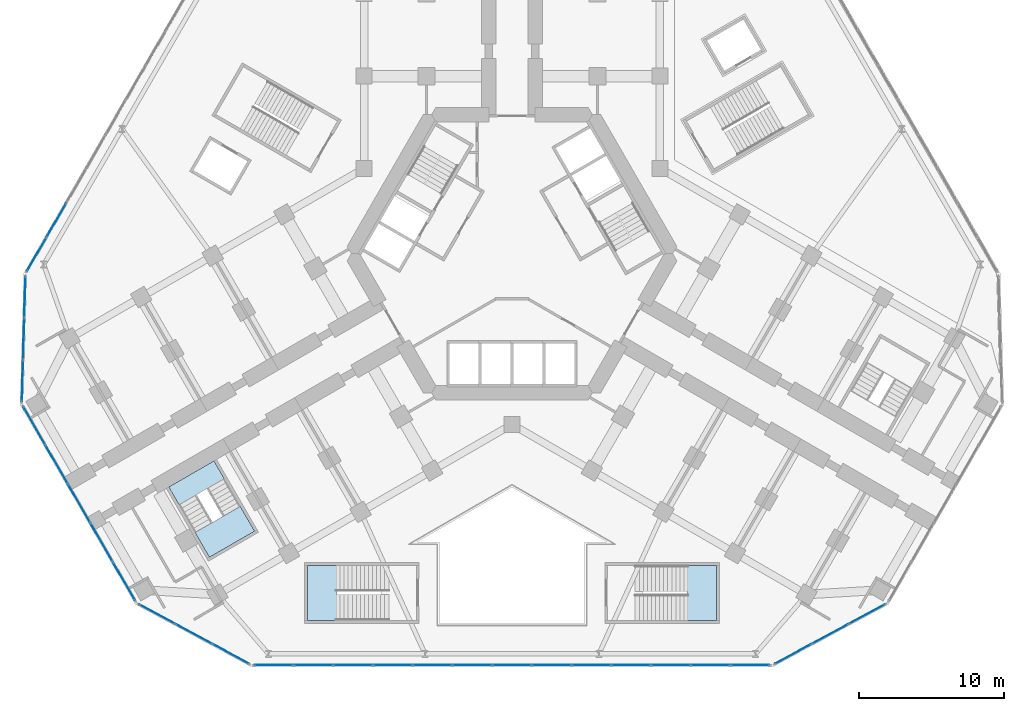
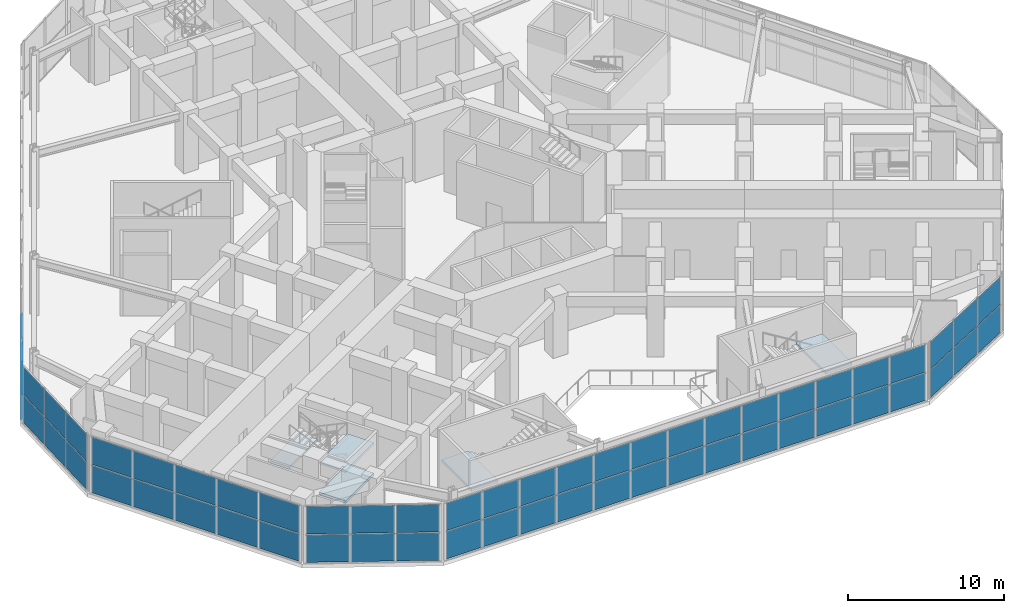
# One storey, part 12 of 21: 58 plates, 5 slabs, 9 elements without a shape of their own.
"""IFC4 building model written with IfcOpenShell, lengths in metres."""

from ifc_helpers import new_model, si_unit, direction, frame, origin, origin_2d, place, context, subcontext, project, spatial, polyline, rectangle, outline, extrude, material, layer, layer_set, type_object, element, aggregate, save


model = new_model("IFC4")

# Units and contexts
model_context = context("Model", 3, precision=1e-05, world=origin(), true_north=direction((0.0, 1.0)))
body_context = subcontext(model_context, "Body", "Model", "MODEL_VIEW")
ifc_project = project(units=[si_unit("LENGTHUNIT", "METRE"), si_unit("AREAUNIT", "SQUARE_METRE"), si_unit("VOLUMEUNIT", "CUBIC_METRE"), si_unit("PLANEANGLEUNIT", "RADIAN"), si_unit("MASSUNIT", "GRAM", prefix="KILO")], contexts=[model_context])

# Site, building, storey
site_placement = place(None, origin())
site = spatial("IfcSite", under=ifc_project, at=site_placement, CompositionType="ELEMENT")
building_placement = place(site_placement, origin())
building = spatial("IfcBuilding", under=site, at=building_placement, Name="Kosmar Iwan School Tower", CompositionType="ELEMENT")
storey_placement = place(building_placement, frame((0.0, 0.0, 6.0)))
storey = spatial("IfcBuildingStorey", under=building, at=storey_placement, Name="L01", CompositionType="ELEMENT", Elevation=6.0)

# Curtain wall, plates
ifc_material_1 = material(Name="Dark glass in black aluminium frame", Category="aluminium")
curtain_wall_type_1 = type_object("IfcCurtainWallType", Name="Podium curtain wall", PredefinedType="USERDEFINED", material=ifc_material_1)
curtain_wall_1_placement = place(storey_placement, origin())
curtain_wall_1 = element("IfcCurtainWall", 1, at=curtain_wall_1_placement, inside=storey, type_object=curtain_wall_type_1, Name="Curtain wall L01-F00", ObjectType="STICK CURTAIN WALL", PredefinedType="USERDEFINED")
ifc_material_2 = material(Name="Dark glass", Category="glass")
ifc_layer_1 = layer(ifc_material_2, 0.028076171875)
ifc_layer_set_1 = layer_set([ifc_layer_1], Name="Dark glass panel 28")
plate_type = type_object("IfcPlateType", Name="Dark glass panel 28", PredefinedType="CURTAIN_PANEL", material=ifc_layer_set_1)
plate_1_placement = place(storey_placement, frame((-16.431396484375, -28.375, 0.06005859375), z_axis=(0.0, 0.0, 1.0), x_axis=(1.0, 0.0, 0.0)))
plate_1 = element("IfcPlate", 2, at=plate_1_placement, type_object=plate_type, Name="CW3 panel 1.1", PredefinedType="CURTAIN_PANEL", context=body_context, shape_type="SweptSolid", body=[
    extrude(rectangle(XDim=2.643798828125, YDim=0.028076171875, at=origin_2d()), origin(), (0.0, 0.0, 1.0), 2.159912109375),
])
plate_2_placement = place(storey_placement, frame((-16.431396484375, -28.375, 2.2802734375), z_axis=(0.0, 0.0, 1.0), x_axis=(1.0, 0.0, 0.0)))
plate_2 = element("IfcPlate", 3, at=plate_2_placement, type_object=plate_type, Name="CW3 panel 1.2", PredefinedType="CURTAIN_PANEL", context=body_context, shape_type="SweptSolid", body=[
    extrude(rectangle(XDim=2.643798828125, YDim=0.028076171875, at=origin_2d()), origin(), (0.0, 0.0, 1.0), 2.159912109375),
])
plate_3_placement = place(storey_placement, frame((-13.70654296875, -28.375, 0.06005859375), z_axis=(0.0, 0.0, 1.0), x_axis=(1.0, 0.0, 0.0)))
plate_3 = element("IfcPlate", 4, at=plate_3_placement, type_object=plate_type, Name="CW3 panel 2.1", PredefinedType="CURTAIN_PANEL", context=body_context, shape_type="SweptSolid", body=[
    extrude(rectangle(XDim=2.67626953125, YDim=0.028076171875, at=origin_2d()), origin(), (0.0, 0.0, 1.0), 2.159912109375),
])
plate_4_placement = place(storey_placement, frame((-13.70654296875, -28.375, 2.2802734375), z_axis=(0.0, 0.0, 1.0), x_axis=(1.0, 0.0, 0.0)))
plate_4 = element("IfcPlate", 5, at=plate_4_placement, type_object=plate_type, Name="CW3 panel 2.2", PredefinedType="CURTAIN_PANEL", context=body_context, shape_type="SweptSolid", body=[
    extrude(rectangle(XDim=2.67626953125, YDim=0.028076171875, at=origin_2d()), origin(), (0.0, 0.0, 1.0), 2.159912109375),
])
plate_5_placement = place(storey_placement, frame((-10.965087890625, -28.375, 0.06005859375), z_axis=(0.0, 0.0, 1.0), x_axis=(1.0, 0.0, 0.0)))
plate_5 = element("IfcPlate", 6, at=plate_5_placement, type_object=plate_type, Name="CW3 panel 3.1", PredefinedType="CURTAIN_PANEL", context=body_context, shape_type="SweptSolid", body=[
    extrude(rectangle(XDim=2.67626953125, YDim=0.028076171875, at=origin_2d()), origin(), (0.0, 0.0, 1.0), 2.159912109375),
])
plate_6_placement = place(storey_placement, frame((-10.965087890625, -28.375, 2.2802734375), z_axis=(0.0, 0.0, 1.0), x_axis=(1.0, 0.0, 0.0)))
plate_6 = element("IfcPlate", 7, at=plate_6_placement, type_object=plate_type, Name="CW3 panel 3.2", PredefinedType="CURTAIN_PANEL", context=body_context, shape_type="SweptSolid", body=[
    extrude(rectangle(XDim=2.67626953125, YDim=0.028076171875, at=origin_2d()), origin(), (0.0, 0.0, 1.0), 2.159912109375),
])
plate_7_placement = place(storey_placement, frame((-8.223876953125, -28.375, 0.06005859375), z_axis=(0.0, 0.0, 1.0), x_axis=(1.0, 0.0, 0.0)))
plate_7 = element("IfcPlate", 8, at=plate_7_placement, type_object=plate_type, Name="CW3 panel 4.1", PredefinedType="CURTAIN_PANEL", context=body_context, shape_type="SweptSolid", body=[
    extrude(rectangle(XDim=2.67626953125, YDim=0.028076171875, at=origin_2d()), origin(), (0.0, 0.0, 1.0), 2.159912109375),
])
plate_8_placement = place(storey_placement, frame((-8.223876953125, -28.375, 2.2802734375), z_axis=(0.0, 0.0, 1.0), x_axis=(1.0, 0.0, 0.0)))
plate_8 = element("IfcPlate", 9, at=plate_8_placement, type_object=plate_type, Name="CW3 panel 4.2", PredefinedType="CURTAIN_PANEL", context=body_context, shape_type="SweptSolid", body=[
    extrude(rectangle(XDim=2.67626953125, YDim=0.028076171875, at=origin_2d()), origin(), (0.0, 0.0, 1.0), 2.159912109375),
])
plate_9_placement = place(storey_placement, frame((-5.482666015625, -28.375, 0.06005859375), z_axis=(0.0, 0.0, 1.0), x_axis=(1.0, 0.0, 0.0)))
plate_9 = element("IfcPlate", 10, at=plate_9_placement, type_object=plate_type, Name="CW3 panel 5.1", PredefinedType="CURTAIN_PANEL", context=body_context, shape_type="SweptSolid", body=[
    extrude(rectangle(XDim=2.67626953125, YDim=0.028076171875, at=origin_2d()), origin(), (0.0, 0.0, 1.0), 2.159912109375),
])
plate_10_placement = place(storey_placement, frame((-5.482666015625, -28.375, 2.2802734375), z_axis=(0.0, 0.0, 1.0), x_axis=(1.0, 0.0, 0.0)))
plate_10 = element("IfcPlate", 11, at=plate_10_placement, type_object=plate_type, Name="CW3 panel 5.2", PredefinedType="CURTAIN_PANEL", context=body_context, shape_type="SweptSolid", body=[
    extrude(rectangle(XDim=2.67626953125, YDim=0.028076171875, at=origin_2d()), origin(), (0.0, 0.0, 1.0), 2.159912109375),
])
plate_11_placement = place(storey_placement, frame((-2.7412109375, -28.375, 0.06005859375), z_axis=(0.0, 0.0, 1.0), x_axis=(1.0, 0.0, 0.0)))
plate_11 = element("IfcPlate", 12, at=plate_11_placement, type_object=plate_type, Name="CW3 panel 6.1", PredefinedType="CURTAIN_PANEL", context=body_context, shape_type="SweptSolid", body=[
    extrude(rectangle(XDim=2.67626953125, YDim=0.028076171875, at=origin_2d()), origin(), (0.0, 0.0, 1.0), 2.159912109375),
])
plate_12_placement = place(storey_placement, frame((-2.7412109375, -28.375, 2.2802734375), z_axis=(0.0, 0.0, 1.0), x_axis=(1.0, 0.0, 0.0)))
plate_12 = element("IfcPlate", 13, at=plate_12_placement, type_object=plate_type, Name="CW3 panel 6.2", PredefinedType="CURTAIN_PANEL", context=body_context, shape_type="SweptSolid", body=[
    extrude(rectangle(XDim=2.67626953125, YDim=0.028076171875, at=origin_2d()), origin(), (0.0, 0.0, 1.0), 2.159912109375),
])
plate_13_placement = place(storey_placement, frame((0.0, -28.375, 0.06005859375), z_axis=(0.0, 0.0, 1.0), x_axis=(1.0, 0.0, 0.0)))
plate_13 = element("IfcPlate", 14, at=plate_13_placement, type_object=plate_type, Name="CW3 panel 7.1", PredefinedType="CURTAIN_PANEL", context=body_context, shape_type="SweptSolid", body=[
    extrude(rectangle(XDim=2.67626953125, YDim=0.028076171875, at=origin_2d()), origin(), (0.0, 0.0, 1.0), 2.159912109375),
])
plate_14_placement = place(storey_placement, frame((0.0, -28.375, 2.2802734375), z_axis=(0.0, 0.0, 1.0), x_axis=(1.0, 0.0, 0.0)))
plate_14 = element("IfcPlate", 15, at=plate_14_placement, type_object=plate_type, Name="CW3 panel 7.2", PredefinedType="CURTAIN_PANEL", context=body_context, shape_type="SweptSolid", body=[
    extrude(rectangle(XDim=2.67626953125, YDim=0.028076171875, at=origin_2d()), origin(), (0.0, 0.0, 1.0), 2.159912109375),
])
plate_15_placement = place(storey_placement, frame((2.7412109375, -28.375, 0.06005859375), z_axis=(0.0, 0.0, 1.0), x_axis=(1.0, 0.0, 0.0)))
plate_15 = element("IfcPlate", 16, at=plate_15_placement, type_object=plate_type, Name="CW3 panel 8.1", PredefinedType="CURTAIN_PANEL", context=body_context, shape_type="SweptSolid", body=[
    extrude(rectangle(XDim=2.67626953125, YDim=0.028076171875, at=origin_2d()), origin(), (0.0, 0.0, 1.0), 2.159912109375),
])
plate_16_placement = place(storey_placement, frame((2.7412109375, -28.375, 2.2802734375), z_axis=(0.0, 0.0, 1.0), x_axis=(1.0, 0.0, 0.0)))
plate_16 = element("IfcPlate", 17, at=plate_16_placement, type_object=plate_type, Name="CW3 panel 8.2", PredefinedType="CURTAIN_PANEL", context=body_context, shape_type="SweptSolid", body=[
    extrude(rectangle(XDim=2.67626953125, YDim=0.028076171875, at=origin_2d()), origin(), (0.0, 0.0, 1.0), 2.159912109375),
])
plate_17_placement = place(storey_placement, frame((5.482666015625, -28.375, 0.06005859375), z_axis=(0.0, 0.0, 1.0), x_axis=(1.0, 0.0, 0.0)))
plate_17 = element("IfcPlate", 18, at=plate_17_placement, type_object=plate_type, Name="CW3 panel 9.1", PredefinedType="CURTAIN_PANEL", context=body_context, shape_type="SweptSolid", body=[
    extrude(rectangle(XDim=2.67626953125, YDim=0.028076171875, at=origin_2d()), origin(), (0.0, 0.0, 1.0), 2.159912109375),
])
plate_18_placement = place(storey_placement, frame((5.482666015625, -28.375, 2.2802734375), z_axis=(0.0, 0.0, 1.0), x_axis=(1.0, 0.0, 0.0)))
plate_18 = element("IfcPlate", 19, at=plate_18_placement, type_object=plate_type, Name="CW3 panel 9.2", PredefinedType="CURTAIN_PANEL", context=body_context, shape_type="SweptSolid", body=[
    extrude(rectangle(XDim=2.67626953125, YDim=0.028076171875, at=origin_2d()), origin(), (0.0, 0.0, 1.0), 2.159912109375),
])
plate_19_placement = place(storey_placement, frame((8.223876953125, -28.375, 0.06005859375), z_axis=(0.0, 0.0, 1.0), x_axis=(1.0, 0.0, 0.0)))
plate_19 = element("IfcPlate", 20, at=plate_19_placement, type_object=plate_type, Name="CW3 panel 10.1", PredefinedType="CURTAIN_PANEL", context=body_context, shape_type="SweptSolid", body=[
    extrude(rectangle(XDim=2.67626953125, YDim=0.028076171875, at=origin_2d()), origin(), (0.0, 0.0, 1.0), 2.159912109375),
])
plate_20_placement = place(storey_placement, frame((8.223876953125, -28.375, 2.2802734375), z_axis=(0.0, 0.0, 1.0), x_axis=(1.0, 0.0, 0.0)))
plate_20 = element("IfcPlate", 21, at=plate_20_placement, type_object=plate_type, Name="CW3 panel 10.2", PredefinedType="CURTAIN_PANEL", context=body_context, shape_type="SweptSolid", body=[
    extrude(rectangle(XDim=2.67626953125, YDim=0.028076171875, at=origin_2d()), origin(), (0.0, 0.0, 1.0), 2.159912109375),
])
plate_21_placement = place(storey_placement, frame((10.965087890625, -28.375, 0.06005859375), z_axis=(0.0, 0.0, 1.0), x_axis=(1.0, 0.0, 0.0)))
plate_21 = element("IfcPlate", 22, at=plate_21_placement, type_object=plate_type, Name="CW3 panel 11.1", PredefinedType="CURTAIN_PANEL", context=body_context, shape_type="SweptSolid", body=[
    extrude(rectangle(XDim=2.67626953125, YDim=0.028076171875, at=origin_2d()), origin(), (0.0, 0.0, 1.0), 2.159912109375),
])
plate_22_placement = place(storey_placement, frame((10.965087890625, -28.375, 2.2802734375), z_axis=(0.0, 0.0, 1.0), x_axis=(1.0, 0.0, 0.0)))
plate_22 = element("IfcPlate", 23, at=plate_22_placement, type_object=plate_type, Name="CW3 panel 11.2", PredefinedType="CURTAIN_PANEL", context=body_context, shape_type="SweptSolid", body=[
    extrude(rectangle(XDim=2.67626953125, YDim=0.028076171875, at=origin_2d()), origin(), (0.0, 0.0, 1.0), 2.159912109375),
])
plate_23_placement = place(storey_placement, frame((13.70654296875, -28.375, 0.06005859375), z_axis=(0.0, 0.0, 1.0), x_axis=(1.0, 0.0, 0.0)))
plate_23 = element("IfcPlate", 24, at=plate_23_placement, type_object=plate_type, Name="CW3 panel 12.1", PredefinedType="CURTAIN_PANEL", context=body_context, shape_type="SweptSolid", body=[
    extrude(rectangle(XDim=2.67626953125, YDim=0.028076171875, at=origin_2d()), origin(), (0.0, 0.0, 1.0), 2.159912109375),
])
plate_24_placement = place(storey_placement, frame((13.70654296875, -28.375, 2.2802734375), z_axis=(0.0, 0.0, 1.0), x_axis=(1.0, 0.0, 0.0)))
plate_24 = element("IfcPlate", 25, at=plate_24_placement, type_object=plate_type, Name="CW3 panel 12.2", PredefinedType="CURTAIN_PANEL", context=body_context, shape_type="SweptSolid", body=[
    extrude(rectangle(XDim=2.67626953125, YDim=0.028076171875, at=origin_2d()), origin(), (0.0, 0.0, 1.0), 2.159912109375),
])
plate_25_placement = place(storey_placement, frame((16.431396484375, -28.375, 0.06005859375), z_axis=(0.0, 0.0, 1.0), x_axis=(1.0, 0.0, 0.0)))
plate_25 = element("IfcPlate", 26, at=plate_25_placement, type_object=plate_type, Name="CW3 panel 13.1", PredefinedType="CURTAIN_PANEL", context=body_context, shape_type="SweptSolid", body=[
    extrude(rectangle(XDim=2.643798828125, YDim=0.028076171875, at=origin_2d()), origin(), (0.0, 0.0, 1.0), 2.159912109375),
])
plate_26_placement = place(storey_placement, frame((16.431396484375, -28.375, 2.2802734375), z_axis=(0.0, 0.0, 1.0), x_axis=(1.0, 0.0, 0.0)))
plate_26 = element("IfcPlate", 27, at=plate_26_placement, type_object=plate_type, Name="CW3 panel 13.2", PredefinedType="CURTAIN_PANEL", context=body_context, shape_type="SweptSolid", body=[
    extrude(rectangle(XDim=2.643798828125, YDim=0.028076171875, at=origin_2d()), origin(), (0.0, 0.0, 1.0), 2.159912109375),
])
aggregate(curtain_wall_1, [plate_1, plate_2, plate_3, plate_4, plate_5, plate_6, plate_7, plate_8, plate_9, plate_10, plate_11, plate_12, plate_13, plate_14, plate_15, plate_16, plate_17, plate_18, plate_19, plate_20, plate_21, plate_22, plate_23, plate_24, plate_25, plate_26])

curtain_wall_2_placement = place(storey_placement, origin())
curtain_wall_2 = element("IfcCurtainWall", 28, at=curtain_wall_2_placement, inside=storey, type_object=curtain_wall_type_1, Name="Curtain wall L01-F01", ObjectType="STICK CURTAIN WALL", PredefinedType="USERDEFINED")
plate_27_placement = place(storey_placement, frame((19.392333984375, -27.60595703125, 0.06005859375), z_axis=(0.0, 0.0, 1.0), x_axis=(0.879869486941, 0.475215410051, 0.0)))
plate_27 = element("IfcPlate", 29, at=plate_27_placement, type_object=plate_type, Name="CW3 panel 1.1", PredefinedType="CURTAIN_PANEL", context=body_context, shape_type="SweptSolid", body=[
    extrude(rectangle(XDim=2.806884765625, YDim=0.028076171875, at=origin_2d()), origin(), (0.0, 0.0, 1.0), 2.159912109375),
])
plate_28_placement = place(storey_placement, frame((19.392333984375, -27.60595703125, 2.2802734375), z_axis=(0.0, 0.0, 1.0), x_axis=(0.879869486941, 0.475215410051, 0.0)))
plate_28 = element("IfcPlate", 30, at=plate_28_placement, type_object=plate_type, Name="CW3 panel 1.2", PredefinedType="CURTAIN_PANEL", context=body_context, shape_type="SweptSolid", body=[
    extrude(rectangle(XDim=2.806884765625, YDim=0.028076171875, at=origin_2d()), origin(), (0.0, 0.0, 1.0), 2.159912109375),
])
plate_29_placement = place(storey_placement, frame((21.93359375, -26.2333984375, 0.06005859375), z_axis=(0.0, 0.0, 1.0), x_axis=(0.879869486941, 0.475215410051, 0.0)))
plate_29 = element("IfcPlate", 31, at=plate_29_placement, type_object=plate_type, Name="CW3 panel 2.1", PredefinedType="CURTAIN_PANEL", context=body_context, shape_type="SweptSolid", body=[
    extrude(rectangle(XDim=2.83935546875, YDim=0.028076171875, at=origin_2d()), origin(), (0.0, 0.0, 1.0), 2.159912109375),
])
plate_30_placement = place(storey_placement, frame((21.93359375, -26.2333984375, 2.2802734375), z_axis=(0.0, 0.0, 1.0), x_axis=(0.879869486941, 0.475215410051, 0.0)))
plate_30 = element("IfcPlate", 32, at=plate_30_placement, type_object=plate_type, Name="CW3 panel 2.2", PredefinedType="CURTAIN_PANEL", context=body_context, shape_type="SweptSolid", body=[
    extrude(rectangle(XDim=2.83935546875, YDim=0.028076171875, at=origin_2d()), origin(), (0.0, 0.0, 1.0), 2.159912109375),
])
plate_31_placement = place(storey_placement, frame((24.474853515625, -24.86083984375, 0.06005859375), z_axis=(0.0, 0.0, 1.0), x_axis=(0.879869486941, 0.475215410051, 0.0)))
plate_31 = element("IfcPlate", 33, at=plate_31_placement, type_object=plate_type, Name="CW3 panel 3.1", PredefinedType="CURTAIN_PANEL", context=body_context, shape_type="SweptSolid", body=[
    extrude(rectangle(XDim=2.806884765625, YDim=0.028076171875, at=origin_2d()), origin(), (0.0, 0.0, 1.0), 2.159912109375),
])
plate_32_placement = place(storey_placement, frame((24.474853515625, -24.86083984375, 2.2802734375), z_axis=(0.0, 0.0, 1.0), x_axis=(0.879869486941, 0.475215410051, 0.0)))
plate_32 = element("IfcPlate", 34, at=plate_32_placement, type_object=plate_type, Name="CW3 panel 3.2", PredefinedType="CURTAIN_PANEL", context=body_context, shape_type="SweptSolid", body=[
    extrude(rectangle(XDim=2.806884765625, YDim=0.028076171875, at=origin_2d()), origin(), (0.0, 0.0, 1.0), 2.159912109375),
])
aggregate(curtain_wall_2, [plate_27, plate_28, plate_29, plate_30, plate_31, plate_32])

curtain_wall_3_placement = place(storey_placement, origin())
curtain_wall_3 = element("IfcCurtainWall", 35, at=curtain_wall_3_placement, inside=storey, type_object=curtain_wall_type_1, Name="Curtain wall L01-F08", ObjectType="STICK CURTAIN WALL", PredefinedType="USERDEFINED")
plate_33_placement = place(storey_placement, frame((-31.4267578125, 2.3173828125, 0.06005859375), z_axis=(0.0, 0.0, 1.0), x_axis=(-0.50000002237, -0.866025390869, 0.0)))
plate_33 = element("IfcPlate", 36, at=plate_33_placement, type_object=plate_type, Name="CW3 panel 12.1", PredefinedType="CURTAIN_PANEL", context=body_context, shape_type="SweptSolid", body=[
    extrude(rectangle(XDim=2.67626953125, YDim=0.028076171875, at=origin_2d()), origin(), (0.0, 0.0, 1.0), 2.159912109375),
])
plate_34_placement = place(storey_placement, frame((-31.4267578125, 2.3173828125, 2.2802734375), z_axis=(0.0, 0.0, 1.0), x_axis=(-0.50000002237, -0.866025390869, 0.0)))
plate_34 = element("IfcPlate", 37, at=plate_34_placement, type_object=plate_type, Name="CW3 panel 12.2", PredefinedType="CURTAIN_PANEL", context=body_context, shape_type="SweptSolid", body=[
    extrude(rectangle(XDim=2.67626953125, YDim=0.028076171875, at=origin_2d()), origin(), (0.0, 0.0, 1.0), 2.159912109375),
])
plate_35_placement = place(storey_placement, frame((-32.789306640625, -0.04248046875, 0.06005859375), z_axis=(0.0, 0.0, 1.0), x_axis=(-0.50000002237, -0.866025390869, 0.0)))
plate_35 = element("IfcPlate", 38, at=plate_35_placement, type_object=plate_type, Name="CW3 panel 13.1", PredefinedType="CURTAIN_PANEL", context=body_context, shape_type="SweptSolid", body=[
    extrude(rectangle(XDim=2.643798828125, YDim=0.028076171875, at=origin_2d()), origin(), (0.0, 0.0, 1.0), 2.159912109375),
])
plate_36_placement = place(storey_placement, frame((-32.789306640625, -0.04248046875, 2.2802734375), z_axis=(0.0, 0.0, 1.0), x_axis=(-0.50000002237, -0.866025390869, 0.0)))
plate_36 = element("IfcPlate", 39, at=plate_36_placement, type_object=plate_type, Name="CW3 panel 13.2", PredefinedType="CURTAIN_PANEL", context=body_context, shape_type="SweptSolid", body=[
    extrude(rectangle(XDim=2.643798828125, YDim=0.028076171875, at=origin_2d()), origin(), (0.0, 0.0, 1.0), 2.159912109375),
])
aggregate(curtain_wall_3, [plate_33, plate_34, plate_35, plate_36])

curtain_wall_4_placement = place(storey_placement, origin())
curtain_wall_4 = element("IfcCurtainWall", 40, at=curtain_wall_4_placement, inside=storey, type_object=curtain_wall_type_1, Name="Curtain wall L01-F09", ObjectType="STICK CURTAIN WALL", PredefinedType="USERDEFINED")
plate_37_placement = place(storey_placement, frame((-33.603515625, -2.991455078125, 0.06005859375), z_axis=(0.0, 0.0, 1.0), x_axis=(-0.028386151255, -0.999597032017, 0.0)))
plate_37 = element("IfcPlate", 41, at=plate_37_placement, type_object=plate_type, Name="CW3 panel 1.1", PredefinedType="CURTAIN_PANEL", context=body_context, shape_type="SweptSolid", body=[
    extrude(rectangle(XDim=2.806884765625, YDim=0.028076171875, at=origin_2d()), origin(), (0.0, 0.0, 1.0), 2.159912109375),
])
plate_38_placement = place(storey_placement, frame((-33.603515625, -2.991455078125, 2.2802734375), z_axis=(0.0, 0.0, 1.0), x_axis=(-0.028386151255, -0.999597032017, 0.0)))
plate_38 = element("IfcPlate", 42, at=plate_38_placement, type_object=plate_type, Name="CW3 panel 1.2", PredefinedType="CURTAIN_PANEL", context=body_context, shape_type="SweptSolid", body=[
    extrude(rectangle(XDim=2.806884765625, YDim=0.028076171875, at=origin_2d()), origin(), (0.0, 0.0, 1.0), 2.159912109375),
])
plate_39_placement = place(storey_placement, frame((-33.685546875, -5.87841796875, 0.06005859375), z_axis=(0.0, 0.0, 1.0), x_axis=(-0.028386151255, -0.999597032017, 0.0)))
plate_39 = element("IfcPlate", 43, at=plate_39_placement, type_object=plate_type, Name="CW3 panel 2.1", PredefinedType="CURTAIN_PANEL", context=body_context, shape_type="SweptSolid", body=[
    extrude(rectangle(XDim=2.83935546875, YDim=0.028076171875, at=origin_2d()), origin(), (0.0, 0.0, 1.0), 2.159912109375),
])
plate_40_placement = place(storey_placement, frame((-33.685546875, -5.87841796875, 2.2802734375), z_axis=(0.0, 0.0, 1.0), x_axis=(-0.028386151255, -0.999597032017, 0.0)))
plate_40 = element("IfcPlate", 44, at=plate_40_placement, type_object=plate_type, Name="CW3 panel 2.2", PredefinedType="CURTAIN_PANEL", context=body_context, shape_type="SweptSolid", body=[
    extrude(rectangle(XDim=2.83935546875, YDim=0.028076171875, at=origin_2d()), origin(), (0.0, 0.0, 1.0), 2.159912109375),
])
plate_41_placement = place(storey_placement, frame((-33.767578125, -8.765380859375, 0.06005859375), z_axis=(0.0, 0.0, 1.0), x_axis=(-0.028386151255, -0.999597032017, 0.0)))
plate_41 = element("IfcPlate", 45, at=plate_41_placement, type_object=plate_type, Name="CW3 panel 3.1", PredefinedType="CURTAIN_PANEL", context=body_context, shape_type="SweptSolid", body=[
    extrude(rectangle(XDim=2.806884765625, YDim=0.028076171875, at=origin_2d()), origin(), (0.0, 0.0, 1.0), 2.159912109375),
])
plate_42_placement = place(storey_placement, frame((-33.767578125, -8.765380859375, 2.2802734375), z_axis=(0.0, 0.0, 1.0), x_axis=(-0.028386151255, -0.999597032017, 0.0)))
plate_42 = element("IfcPlate", 46, at=plate_42_placement, type_object=plate_type, Name="CW3 panel 3.2", PredefinedType="CURTAIN_PANEL", context=body_context, shape_type="SweptSolid", body=[
    extrude(rectangle(XDim=2.806884765625, YDim=0.028076171875, at=origin_2d()), origin(), (0.0, 0.0, 1.0), 2.159912109375),
])
aggregate(curtain_wall_4, [plate_37, plate_38, plate_39, plate_40, plate_41, plate_42])

ifc_material_3 = material(Name="Dark glass in black aluminium frame", Category="aluminium")
curtain_wall_type_2 = type_object("IfcCurtainWallType", Name="Tower curtain wall dark glass", PredefinedType="USERDEFINED", material=ifc_material_3)
curtain_wall_5_placement = place(storey_placement, origin())
curtain_wall_5 = element("IfcCurtainWall", 47, at=curtain_wall_5_placement, inside=storey, type_object=curtain_wall_type_2, Name="Curtain wall L01-F10", ObjectType="UNITISED CURTAIN WALL", PredefinedType="USERDEFINED")
plate_43_placement = place(storey_placement, frame((-32.953857421875, -11.8720703125, 0.06005859375), z_axis=(0.0, 0.0, 1.0), x_axis=(0.500000014057, -0.866025395669, 0.0)))
plate_43 = element("IfcPlate", 48, at=plate_43_placement, type_object=plate_type, Name="CW1 panel 1.1", PredefinedType="CURTAIN_PANEL", context=body_context, shape_type="SweptSolid", body=[
    extrude(rectangle(XDim=3.00830078125, YDim=0.028076171875, at=origin_2d()), origin(), (0.0, 0.0, 1.0), 2.159912109375),
])
plate_44_placement = place(storey_placement, frame((-32.953857421875, -11.8720703125, 2.2802734375), z_axis=(0.0, 0.0, 1.0), x_axis=(0.500000014057, -0.866025395669, 0.0)))
plate_44 = element("IfcPlate", 49, at=plate_44_placement, type_object=plate_type, Name="CW1 panel 1.2", PredefinedType="CURTAIN_PANEL", context=body_context, shape_type="SweptSolid", body=[
    extrude(rectangle(XDim=3.00830078125, YDim=0.028076171875, at=origin_2d()), origin(), (0.0, 0.0, 1.0), 2.159912109375),
])
plate_45_placement = place(storey_placement, frame((-31.4091796875, -14.5478515625, 0.06005859375), z_axis=(0.0, 0.0, 1.0), x_axis=(0.500000014057, -0.866025395669, 0.0)))
plate_45 = element("IfcPlate", 50, at=plate_45_placement, type_object=plate_type, Name="CW1 panel 2.1", PredefinedType="CURTAIN_PANEL", context=body_context, shape_type="SweptSolid", body=[
    extrude(rectangle(XDim=3.040771484375, YDim=0.028076171875, at=origin_2d()), origin(), (0.0, 0.0, 1.0), 2.159912109375),
])
plate_46_placement = place(storey_placement, frame((-31.4091796875, -14.5478515625, 2.2802734375), z_axis=(0.0, 0.0, 1.0), x_axis=(0.500000014057, -0.866025395669, 0.0)))
plate_46 = element("IfcPlate", 51, at=plate_46_placement, type_object=plate_type, Name="CW1 panel 2.2", PredefinedType="CURTAIN_PANEL", context=body_context, shape_type="SweptSolid", body=[
    extrude(rectangle(XDim=3.040771484375, YDim=0.028076171875, at=origin_2d()), origin(), (0.0, 0.0, 1.0), 2.159912109375),
])
plate_47_placement = place(storey_placement, frame((-29.856201171875, -17.237548828125, 0.06005859375), z_axis=(0.0, 0.0, 1.0), x_axis=(0.500000014057, -0.866025395669, 0.0)))
plate_47 = element("IfcPlate", 52, at=plate_47_placement, type_object=plate_type, Name="CW1 panel 3.1", PredefinedType="CURTAIN_PANEL", context=body_context, shape_type="SweptSolid", body=[
    extrude(rectangle(XDim=3.040771484375, YDim=0.028076171875, at=origin_2d()), origin(), (0.0, 0.0, 1.0), 2.159912109375),
])
plate_48_placement = place(storey_placement, frame((-29.856201171875, -17.237548828125, 2.2802734375), z_axis=(0.0, 0.0, 1.0), x_axis=(0.500000014057, -0.866025395669, 0.0)))
plate_48 = element("IfcPlate", 53, at=plate_48_placement, type_object=plate_type, Name="CW1 panel 3.2", PredefinedType="CURTAIN_PANEL", context=body_context, shape_type="SweptSolid", body=[
    extrude(rectangle(XDim=3.040771484375, YDim=0.028076171875, at=origin_2d()), origin(), (0.0, 0.0, 1.0), 2.159912109375),
])
plate_49_placement = place(storey_placement, frame((-28.30322265625, -19.92724609375, 0.06005859375), z_axis=(0.0, 0.0, 1.0), x_axis=(0.500000014057, -0.866025395669, 0.0)))
plate_49 = element("IfcPlate", 54, at=plate_49_placement, type_object=plate_type, Name="CW1 panel 4.1", PredefinedType="CURTAIN_PANEL", context=body_context, shape_type="SweptSolid", body=[
    extrude(rectangle(XDim=3.040771484375, YDim=0.028076171875, at=origin_2d()), origin(), (0.0, 0.0, 1.0), 2.159912109375),
])
plate_50_placement = place(storey_placement, frame((-28.30322265625, -19.92724609375, 2.2802734375), z_axis=(0.0, 0.0, 1.0), x_axis=(0.500000014057, -0.866025395669, 0.0)))
plate_50 = element("IfcPlate", 55, at=plate_50_placement, type_object=plate_type, Name="CW1 panel 4.2", PredefinedType="CURTAIN_PANEL", context=body_context, shape_type="SweptSolid", body=[
    extrude(rectangle(XDim=3.040771484375, YDim=0.028076171875, at=origin_2d()), origin(), (0.0, 0.0, 1.0), 2.159912109375),
])
plate_51_placement = place(storey_placement, frame((-26.758544921875, -22.602783203125, 0.06005859375), z_axis=(0.0, 0.0, 1.0), x_axis=(0.500000014057, -0.866025395669, 0.0)))
plate_51 = element("IfcPlate", 56, at=plate_51_placement, type_object=plate_type, Name="CW1 panel 5.1", PredefinedType="CURTAIN_PANEL", context=body_context, shape_type="SweptSolid", body=[
    extrude(rectangle(XDim=3.00830078125, YDim=0.028076171875, at=origin_2d()), origin(), (0.0, 0.0, 1.0), 2.159912109375),
])
plate_52_placement = place(storey_placement, frame((-26.758544921875, -22.602783203125, 2.2802734375), z_axis=(0.0, 0.0, 1.0), x_axis=(0.500000014057, -0.866025395669, 0.0)))
plate_52 = element("IfcPlate", 57, at=plate_52_placement, type_object=plate_type, Name="CW1 panel 5.2", PredefinedType="CURTAIN_PANEL", context=body_context, shape_type="SweptSolid", body=[
    extrude(rectangle(XDim=3.00830078125, YDim=0.028076171875, at=origin_2d()), origin(), (0.0, 0.0, 1.0), 2.159912109375),
])
aggregate(curtain_wall_5, [plate_43, plate_44, plate_45, plate_46, plate_47, plate_48, plate_49, plate_50, plate_51, plate_52])

curtain_wall_6_placement = place(storey_placement, origin())
curtain_wall_6 = element("IfcCurtainWall", 58, at=curtain_wall_6_placement, inside=storey, type_object=curtain_wall_type_1, Name="Curtain wall L01-F11", ObjectType="STICK CURTAIN WALL", PredefinedType="USERDEFINED")
plate_53_placement = place(storey_placement, frame((-24.474853515625, -24.86083984375, 0.06005859375), z_axis=(0.0, 0.0, 1.0), x_axis=(0.879869486941, -0.475215410051, 0.0)))
plate_53 = element("IfcPlate", 59, at=plate_53_placement, type_object=plate_type, Name="CW3 panel 1.1", PredefinedType="CURTAIN_PANEL", context=body_context, shape_type="SweptSolid", body=[
    extrude(rectangle(XDim=2.806884765625, YDim=0.028076171875, at=origin_2d()), origin(), (0.0, 0.0, 1.0), 2.159912109375),
])
plate_54_placement = place(storey_placement, frame((-24.474853515625, -24.86083984375, 2.2802734375), z_axis=(0.0, 0.0, 1.0), x_axis=(0.879869486941, -0.475215410051, 0.0)))
plate_54 = element("IfcPlate", 60, at=plate_54_placement, type_object=plate_type, Name="CW3 panel 1.2", PredefinedType="CURTAIN_PANEL", context=body_context, shape_type="SweptSolid", body=[
    extrude(rectangle(XDim=2.806884765625, YDim=0.028076171875, at=origin_2d()), origin(), (0.0, 0.0, 1.0), 2.159912109375),
])
plate_55_placement = place(storey_placement, frame((-21.93359375, -26.2333984375, 0.06005859375), z_axis=(0.0, 0.0, 1.0), x_axis=(0.879869486941, -0.475215410051, 0.0)))
plate_55 = element("IfcPlate", 61, at=plate_55_placement, type_object=plate_type, Name="CW3 panel 2.1", PredefinedType="CURTAIN_PANEL", context=body_context, shape_type="SweptSolid", body=[
    extrude(rectangle(XDim=2.83935546875, YDim=0.028076171875, at=origin_2d()), origin(), (0.0, 0.0, 1.0), 2.159912109375),
])
plate_56_placement = place(storey_placement, frame((-21.93359375, -26.2333984375, 2.2802734375), z_axis=(0.0, 0.0, 1.0), x_axis=(0.879869486941, -0.475215410051, 0.0)))
plate_56 = element("IfcPlate", 62, at=plate_56_placement, type_object=plate_type, Name="CW3 panel 2.2", PredefinedType="CURTAIN_PANEL", context=body_context, shape_type="SweptSolid", body=[
    extrude(rectangle(XDim=2.83935546875, YDim=0.028076171875, at=origin_2d()), origin(), (0.0, 0.0, 1.0), 2.159912109375),
])
plate_57_placement = place(storey_placement, frame((-19.392333984375, -27.60595703125, 0.06005859375), z_axis=(0.0, 0.0, 1.0), x_axis=(0.879869486941, -0.475215410051, 0.0)))
plate_57 = element("IfcPlate", 63, at=plate_57_placement, type_object=plate_type, Name="CW3 panel 3.1", PredefinedType="CURTAIN_PANEL", context=body_context, shape_type="SweptSolid", body=[
    extrude(rectangle(XDim=2.806884765625, YDim=0.028076171875, at=origin_2d()), origin(), (0.0, 0.0, 1.0), 2.159912109375),
])
plate_58_placement = place(storey_placement, frame((-19.392333984375, -27.60595703125, 2.2802734375), z_axis=(0.0, 0.0, 1.0), x_axis=(0.879869486941, -0.475215410051, 0.0)))
plate_58 = element("IfcPlate", 64, at=plate_58_placement, type_object=plate_type, Name="CW3 panel 3.2", PredefinedType="CURTAIN_PANEL", context=body_context, shape_type="SweptSolid", body=[
    extrude(rectangle(XDim=2.806884765625, YDim=0.028076171875, at=origin_2d()), origin(), (0.0, 0.0, 1.0), 2.159912109375),
])
aggregate(curtain_wall_6, [plate_53, plate_54, plate_55, plate_56, plate_57, plate_58])

# Stair, slabs
ifc_material_4 = material(Name="Concrete C35/45", Category="concrete")
stair_type_1 = type_object("IfcStairType", Name="Escape stair 3600", PredefinedType="HALF_TURN_STAIR", material=ifc_material_4)
stair_1_placement = place(storey_placement, origin())
stair_1 = element("IfcStair", 65, at=stair_1_placement, inside=storey, type_object=stair_type_1, Name="Stair WS2 L01", PredefinedType="HALF_TURN_STAIR")
ifc_material_5 = material(Name="Concrete C35/45", Category="concrete")
ifc_layer_2 = layer(ifc_material_5, 0.199951171875)
ifc_layer_set_2 = layer_set([ifc_layer_2], Name="Escape stair landing 200")
slab_type_1 = type_object("IfcSlabType", Name="Escape stair landing 200", PredefinedType="LANDING", material=ifc_layer_set_2)
slab_1_placement = place(storey_placement, frame((0.0, 0.0, 1.0)))
slab_1 = element("IfcSlab", 66, at=slab_1_placement, type_object=slab_type_1, Name="WS2 landing 1", PredefinedType="LANDING", context=body_context, shape_type="SweptSolid", body=[
    extrude(outline(polyline([(-18.747314453125, -17.4287109375), (-21.864990234375, -19.228759765625), (-20.875, -20.943359375), (-17.75732421875, -19.143310546875), (-18.747314453125, -17.4287109375)])), origin(), (0.0, 0.0, 1.0), 0.199951171875),
])
slab_2_placement = place(storey_placement, frame((0.0, 0.0, 2.199951171875)))
slab_2 = element("IfcSlab", 67, at=slab_2_placement, type_object=slab_type_1, Name="WS2 landing 2", PredefinedType="LANDING", context=body_context, shape_type="SweptSolid", body=[
    extrude(outline(polyline([(-20.557373046875, -14.293701171875), (-23.675048828125, -16.09375), (-22.965087890625, -17.323486328125), (-19.847412109375, -15.5234375), (-20.557373046875, -14.293701171875)])), origin(), (0.0, 0.0, 1.0), 0.199951171875),
])
slab_3_placement = place(storey_placement, frame((0.0, 0.0, 3.39990234375)))
slab_3 = element("IfcSlab", 68, at=slab_3_placement, type_object=slab_type_1, Name="WS2 landing 3", PredefinedType="LANDING", context=body_context, shape_type="SweptSolid", body=[
    extrude(outline(polyline([(-18.747314453125, -17.4287109375), (-21.864990234375, -19.228759765625), (-20.875, -20.943359375), (-17.75732421875, -19.143310546875), (-18.747314453125, -17.4287109375)])), origin(), (0.0, 0.0, 1.0), 0.2001953125),
])
aggregate(stair_1, [slab_1, slab_2, slab_3])

# Stair, slab
ifc_material_6 = material(Name="Concrete C35/45", Category="concrete")
stair_type_2 = type_object("IfcStairType", Name="School stair 3800", PredefinedType="HALF_TURN_STAIR", material=ifc_material_6)
stair_2_placement = place(storey_placement, origin())
stair_2 = element("IfcStair", 69, at=stair_2_placement, inside=storey, type_object=stair_type_2, Name="School stair SS1 L01", PredefinedType="HALF_TURN_STAIR")
ifc_material_7 = material(Name="Concrete C35/45", Category="concrete")
ifc_layer_3 = layer(ifc_material_7, 0.199951171875)
ifc_layer_set_3 = layer_set([ifc_layer_3], Name="Stair landing 200")
slab_type_2 = type_object("IfcSlabType", Name="Stair landing 200", PredefinedType="LANDING", material=ifc_layer_set_3)
slab_4_placement = place(storey_placement, frame((0.0, 0.0, 2.199951171875)))
slab_4 = element("IfcSlab", 70, at=slab_4_placement, type_object=slab_type_2, Name="SS1 landing 1", PredefinedType="LANDING", context=body_context, shape_type="SweptSolid", body=[
    extrude(outline(polyline([(-14.10009765625, -21.5), (-14.10009765625, -25.300048828125), (-12.1201171875, -25.300048828125), (-12.1201171875, -21.5), (-14.10009765625, -21.5)])), origin(), (0.0, 0.0, 1.0), 0.199951171875),
])
aggregate(stair_2, [slab_4])

stair_3_placement = place(storey_placement, origin())
stair_3 = element("IfcStair", 71, at=stair_3_placement, inside=storey, type_object=stair_type_2, Name="School stair SS2 L01", PredefinedType="HALF_TURN_STAIR")
slab_5_placement = place(storey_placement, frame((0.0, 0.0, 2.199951171875)))
slab_5 = element("IfcSlab", 72, at=slab_5_placement, type_object=slab_type_2, Name="SS2 landing 1", PredefinedType="LANDING", context=body_context, shape_type="SweptSolid", body=[
    extrude(outline(polyline([(12.1201171875, -21.5), (12.1201171875, -25.300048828125), (14.10009765625, -25.300048828125), (14.10009765625, -21.5), (12.1201171875, -21.5)])), origin(), (0.0, 0.0, 1.0), 0.199951171875),
])
aggregate(stair_3, [slab_5])

save(model, "model.ifc")
